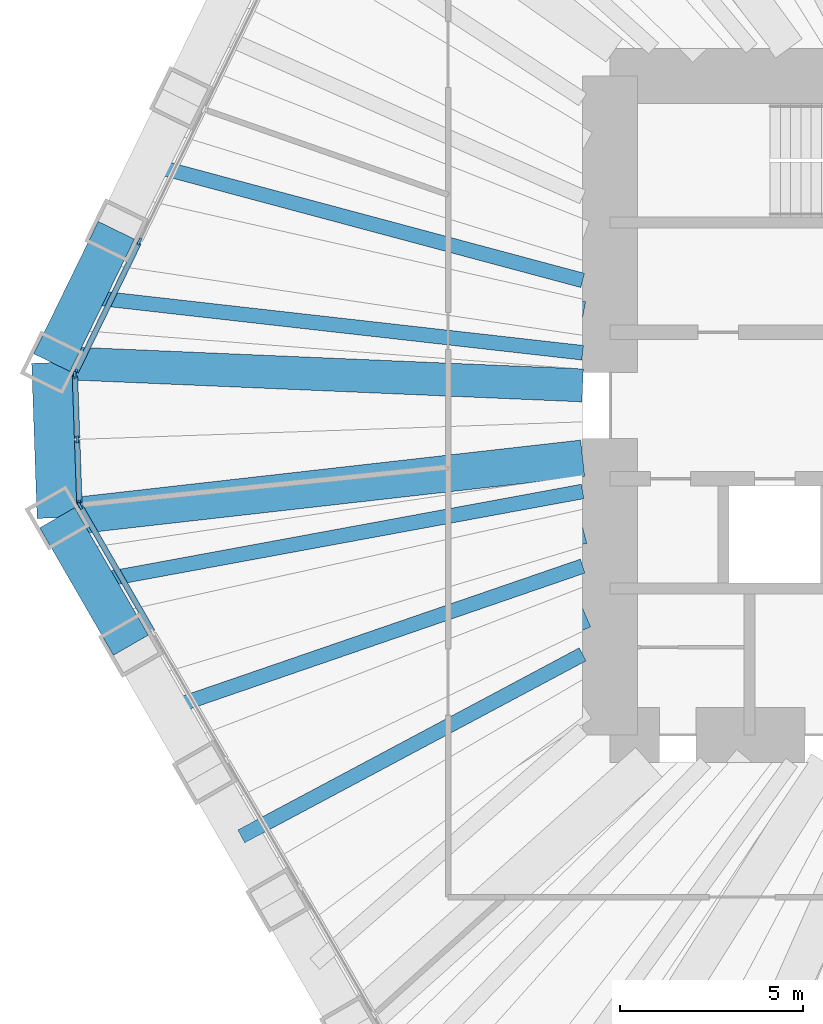
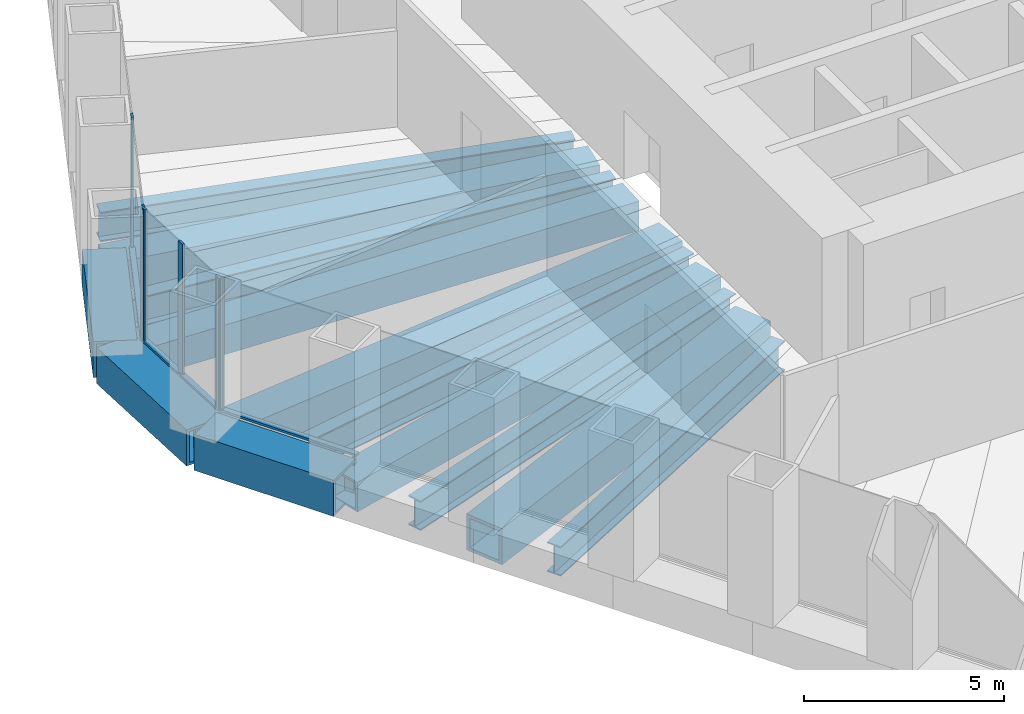
# One storey, part 3 of 20: 13 members, 10 beams, 3 elements without a shape of their own.
"""IFC4 building model written with IfcOpenShell, lengths in metres."""

from ifc_helpers import new_model, si_unit, direction, frame, origin, origin_2d, place, context, subcontext, project, spatial, rectangle, hollow_rectangle, i_section, extrude, material, material_profile, profile_set, type_object, element, aggregate, save


model = new_model("IFC4")

# Units and contexts
model_context = context("Model", 3, precision=1e-05, world=origin(), true_north=direction((0.0, 1.0)))
body_context = subcontext(model_context, "Body", "Model", "MODEL_VIEW")
ifc_project = project(units=[si_unit("LENGTHUNIT", "METRE"), si_unit("AREAUNIT", "SQUARE_METRE"), si_unit("VOLUMEUNIT", "CUBIC_METRE"), si_unit("PLANEANGLEUNIT", "RADIAN"), si_unit("MASSUNIT", "GRAM", prefix="KILO")], contexts=[model_context])

# Site, building, storey
site_placement = place(None, origin())
site = spatial("IfcSite", under=ifc_project, at=site_placement, CompositionType="ELEMENT")
building_placement = place(site_placement, origin())
building = spatial("IfcBuilding", under=site, at=building_placement, Name="Qingtian Harvest Tower", CompositionType="ELEMENT")
storey_placement = place(building_placement, frame((0.0, 0.0, 103.0)))
storey = spatial("IfcBuildingStorey", under=building, at=storey_placement, Name="L20", CompositionType="ELEMENT", Elevation=103.0)

# Members
ifc_material_1 = material(Name="Steel SM570MC", Category="steel")
ifc_material_profile_1 = material_profile(ifc_material_1, hollow_rectangle(XDim=1.10009765625, YDim=1.10009765625, WallThickness=0.080078125, at=origin_2d()), Name="BOX1100x1100x80")
ifc_profile_set_1 = profile_set([ifc_material_profile_1], Name="Steel SM570MC")
member_type_1 = type_object("IfcMemberType", Name="Belt truss chord BC1 BOX1100x1100x80", PredefinedType="CHORD", material=ifc_profile_set_1)
member_1_placement = place(storey_placement, frame((-25.08740234375, -6.547119140625, -0.550048828125), z_axis=(-0.500013420409, 0.866017655369, 0.0), x_axis=(-0.866017655369, -0.500013420409, 0.0)))
element("IfcMember", 1, at=member_1_placement, inside=storey, type_object=member_type_1, Name="Belt chord BC1 SW5", PredefinedType="CHORD", context=body_context, shape_type="SweptSolid", body=[
    extrude(hollow_rectangle(XDim=1.10009765625, YDim=1.10009765625, WallThickness=0.080078125, at=origin_2d()), origin(), (0.0, 0.0, 1.0), 4.01904296875),
])
member_2_placement = place(storey_placement, frame((-27.096923828125, -3.066650390625, -0.550048828125), z_axis=(-0.034908677553, 0.999390506375, 0.0), x_axis=(-0.999390506375, -0.034908677553, 0.0)))
element("IfcMember", 2, at=member_2_placement, inside=storey, type_object=member_type_1, Name="Belt chord BC1 SWC", PredefinedType="CHORD", context=body_context, shape_type="SweptSolid", body=[
    extrude(hollow_rectangle(XDim=1.10009765625, YDim=1.10009765625, WallThickness=0.080078125, at=origin_2d()), origin(), (0.0, 0.0, 1.0), 4.23828125),
])
member_3_placement = place(storey_placement, frame((-27.244873046875, 1.1689453125, -0.550048828125), z_axis=(0.438347033158, 0.898805806902, 0.0), x_axis=(-0.898805806902, 0.438347033158, 0.0)))
element("IfcMember", 3, at=member_3_placement, inside=storey, type_object=member_type_1, Name="Belt chord BC1 NW0", PredefinedType="CHORD", context=body_context, shape_type="SweptSolid", body=[
    extrude(hollow_rectangle(XDim=1.10009765625, YDim=1.10009765625, WallThickness=0.080078125, at=origin_2d()), origin(), (0.0, 0.0, 1.0), 4.01904296875),
])

# Beams
ifc_material_2 = material(Name="Steel SN490B", Category="steel")
ifc_material_profile_2 = material_profile(ifc_material_2, i_section(OverallWidth=0.39990234375, OverallDepth=0.89990234375, WebThickness=0.01904296875, FlangeThickness=0.035888671875, at=origin_2d()), Name="H900x400x19x36")
ifc_profile_set_2 = profile_set([ifc_material_profile_2], Name="Steel SN490B")
beam_type_1 = type_object("IfcBeamType", Name="Floor joist J4 H900x400x19x36", PredefinedType="JOIST", material=ifc_profile_set_2)
beam_1_placement = place(storey_placement, frame((-22.0732421875, -11.76806640625, -0.6201171875), z_axis=(0.882429048443, 0.47044550637, 0.0), x_axis=(-0.47044550637, 0.882429048443, 0.0)))
element("IfcBeam", 4, at=beam_1_placement, inside=storey, type_object=beam_type_1, Name="Floor joist J4 SW3", PredefinedType="JOIST", context=body_context, shape_type="SweptSolid", body=[
    extrude(i_section(OverallWidth=0.39990234375, OverallDepth=0.89990234375, WebThickness=0.01904296875, FlangeThickness=0.035888671875, at=origin_2d()), origin(), (0.0, 0.0, 1.0), 10.5654296875),
])
beam_2_placement = place(storey_placement, frame((-24.082763671875, -8.28759765625, -0.6201171875), z_axis=(0.945577150072, 0.325397992099, 0.0), x_axis=(-0.325397992099, 0.945577150072, 0.0)))
element("IfcBeam", 5, at=beam_2_placement, inside=storey, type_object=beam_type_1, Name="Floor joist J4 SW4", PredefinedType="JOIST", context=body_context, shape_type="SweptSolid", body=[
    extrude(i_section(OverallWidth=0.39990234375, OverallDepth=0.89990234375, WebThickness=0.01904296875, FlangeThickness=0.035888671875, at=origin_2d()), origin(), (0.0, 0.0, 1.0), 11.985107421875),
])
beam_3_placement = place(storey_placement, frame((-26.09228515625, -4.806884765625, -0.6201171875), z_axis=(0.983450319804, 0.181178002192, 0.0), x_axis=(-0.181178002192, 0.983450319804, 0.0)))
element("IfcBeam", 6, at=beam_3_placement, inside=storey, type_object=beam_type_1, Name="Floor joist J4 SW5", PredefinedType="JOIST", context=body_context, shape_type="SweptSolid", body=[
    extrude(i_section(OverallWidth=0.39990234375, OverallDepth=0.89990234375, WebThickness=0.01904296875, FlangeThickness=0.035888671875, at=origin_2d()), origin(), (0.0, 0.0, 1.0), 13.56689453125),
])
beam_4_placement = place(storey_placement, frame((-26.364013671875, 2.97509765625, -0.6201171875), z_axis=(0.993692330348, -0.112140771387, 0.0), x_axis=(0.112140771387, 0.993692330348, 0.0)))
element("IfcBeam", 7, at=beam_4_placement, inside=storey, type_object=beam_type_1, Name="Floor joist J4 NW0", PredefinedType="JOIST", context=body_context, shape_type="SweptSolid", body=[
    extrude(i_section(OverallWidth=0.39990234375, OverallDepth=0.89990234375, WebThickness=0.01904296875, FlangeThickness=0.035888671875, at=origin_2d()), origin(), (0.0, 0.0, 1.0), 13.700439453125),
])
beam_5_placement = place(storey_placement, frame((-24.60205078125, 6.58740234375, -0.6201171875), z_axis=(0.965969893862, -0.258654526641, 0.0), x_axis=(0.258654526641, 0.965969893862, 0.0)))
element("IfcBeam", 8, at=beam_5_placement, inside=storey, type_object=beam_type_1, Name="Floor joist J4 NW1", PredefinedType="JOIST", context=body_context, shape_type="SweptSolid", body=[
    extrude(i_section(OverallWidth=0.39990234375, OverallDepth=0.89990234375, WebThickness=0.01904296875, FlangeThickness=0.035888671875, at=origin_2d()), origin(), (0.0, 0.0, 1.0), 12.26953125),
])

# Curtain wall, member
ifc_material_3 = material(Name="Bronze-anodised aluminium curtain wall", Category="aluminium")
curtain_wall_type = type_object("IfcCurtainWallType", Name="Curtain wall CW3 sky lobby", PredefinedType="USERDEFINED", material=ifc_material_3)
curtain_wall_1_placement = place(storey_placement, origin())
curtain_wall_1 = element("IfcCurtainWall", 9, at=curtain_wall_1_placement, inside=storey, type_object=curtain_wall_type, Name="Curtain wall CW3 L20 SW0-5", ObjectType="RECESSED CURTAIN WALL", PredefinedType="USERDEFINED")
ifc_material_4 = material(Name="Bronze-anodised aluminium mullion", Category="aluminium")
ifc_material_profile_3 = material_profile(ifc_material_4, rectangle(XDim=0.06494140625, YDim=0.199951171875, at=origin_2d()), Name="AL 65x200")
ifc_profile_set_3 = profile_set([ifc_material_profile_3], Name="Bronze-anodised aluminium mullion")
member_type_2 = type_object("IfcMemberType", Name="Mullion CWM 65x200", PredefinedType="MULLION", material=ifc_profile_set_3)
member_4_placement = place(storey_placement, frame((-26.474609375, -2.744873046875, 0.0), z_axis=(0.0, 0.0, 1.0), x_axis=(-0.866025403784, -0.5, 0.0)))
member_4 = element("IfcMember", 10, at=member_4_placement, type_object=member_type_2, Name="CW3 mullion 7", PredefinedType="MULLION", context=body_context, shape_type="SweptSolid", body=[
    extrude(rectangle(XDim=0.06494140625, YDim=0.199951171875, at=origin_2d()), origin(), (0.0, 0.0, 1.0), 4.030029296875),
])

# Curtain wall, members
curtain_wall_2_placement = place(storey_placement, origin())
curtain_wall_2 = element("IfcCurtainWall", 11, at=curtain_wall_2_placement, inside=storey, type_object=curtain_wall_type, Name="Curtain wall CW3 L20 SWC", ObjectType="RECESSED CURTAIN WALL", PredefinedType="USERDEFINED")
member_5_placement = place(storey_placement, frame((-26.491943359375, -2.68408203125, 0.0), z_axis=(0.0, 0.0, 1.0), x_axis=(-0.999390827019, -0.034899496703, 0.0)))
member_5 = element("IfcMember", 12, at=member_5_placement, type_object=member_type_2, Name="CW3 mullion 1", PredefinedType="MULLION", context=body_context, shape_type="SweptSolid", body=[
    extrude(rectangle(XDim=0.06494140625, YDim=0.199951171875, at=origin_2d()), origin(), (0.0, 0.0, 1.0), 4.030029296875),
])
member_6_placement = place(storey_placement, frame((-26.55322265625, -0.92724609375, 0.0), z_axis=(0.0, 0.0, 1.0), x_axis=(-0.999390827019, -0.034899496703, 0.0)))
member_6 = element("IfcMember", 13, at=member_6_placement, type_object=member_type_2, Name="CW3 mullion 2", PredefinedType="MULLION", context=body_context, shape_type="SweptSolid", body=[
    extrude(rectangle(XDim=0.06494140625, YDim=0.199951171875, at=origin_2d()), origin(), (0.0, 0.0, 1.0), 4.030029296875),
])
member_7_placement = place(storey_placement, frame((-26.614501953125, 0.82958984375, 0.0), z_axis=(0.0, 0.0, 1.0), x_axis=(-0.999390827019, -0.034899496703, 0.0)))
member_7 = element("IfcMember", 14, at=member_7_placement, type_object=member_type_2, Name="CW3 mullion 3", PredefinedType="MULLION", context=body_context, shape_type="SweptSolid", body=[
    extrude(rectangle(XDim=0.06494140625, YDim=0.199951171875, at=origin_2d()), origin(), (0.0, 0.0, 1.0), 4.030029296875),
])

curtain_wall_3_placement = place(storey_placement, origin())
curtain_wall_3 = element("IfcCurtainWall", 15, at=curtain_wall_3_placement, inside=storey, type_object=curtain_wall_type, Name="Curtain wall CW3 L20 NW0-5", ObjectType="RECESSED CURTAIN WALL", PredefinedType="USERDEFINED")
member_8_placement = place(storey_placement, frame((-26.6015625, 0.891357421875, 0.0), z_axis=(0.0, 0.0, 1.0), x_axis=(-0.898794046299, 0.438371146789, 0.0)))
member_8 = element("IfcMember", 16, at=member_8_placement, type_object=member_type_2, Name="CW3 mullion 1", PredefinedType="MULLION", context=body_context, shape_type="SweptSolid", body=[
    extrude(rectangle(XDim=0.06494140625, YDim=0.199951171875, at=origin_2d()), origin(), (0.0, 0.0, 1.0), 4.030029296875),
])
member_9_placement = place(storey_placement, frame((-24.85400390625, 4.474365234375, 0.0), z_axis=(0.0, 0.0, 1.0), x_axis=(-0.898794046299, 0.438371146789, 0.0)))
member_9 = element("IfcMember", 17, at=member_9_placement, type_object=member_type_2, Name="CW3 mullion 2", PredefinedType="MULLION", context=body_context, shape_type="SweptSolid", body=[
    extrude(rectangle(XDim=0.06494140625, YDim=0.199951171875, at=origin_2d()), origin(), (0.0, 0.0, 1.0), 4.030029296875),
])

# Beams
ifc_material_5 = material(Name="Steel SM570MC", Category="steel")
ifc_material_profile_4 = material_profile(ifc_material_5, hollow_rectangle(XDim=0.89990234375, YDim=0.89990234375, WallThickness=0.06005859375, at=origin_2d()), Name="BOX900x900x60")
ifc_profile_set_4 = profile_set([ifc_material_profile_4], Name="Steel SM570MC")
beam_type_2 = type_object("IfcBeamType", Name="Outrigger chord beam OC1 BOX900x900x60", PredefinedType="BEAM", material=ifc_profile_set_4)
beam_6_placement = place(storey_placement, frame((-25.08740234375, -6.547119140625, -0.6201171875), z_axis=(0.967592867696, 0.252515429991, 0.0), x_axis=(-0.252515429991, 0.967592867696, 0.0)))
element("IfcBeam", 18, at=beam_6_placement, inside=storey, type_object=beam_type_2, Name="Floor beam OC1 SW5", PredefinedType="BEAM", context=body_context, shape_type="SweptSolid", body=[
    extrude(hollow_rectangle(XDim=0.89990234375, YDim=0.89990234375, WallThickness=0.06005859375, at=origin_2d()), origin(), (0.0, 0.0, 1.0), 12.750732421875),
])
beam_7_placement = place(storey_placement, frame((-27.244873046875, 1.1689453125, -0.6201171875), z_axis=(0.999081074678, -0.042860310542, 0.0), x_axis=(0.042860310542, 0.999081074678, 0.0)))
element("IfcBeam", 19, at=beam_7_placement, inside=storey, type_object=beam_type_2, Name="Floor beam OC1 NW0", PredefinedType="BEAM", context=body_context, shape_type="SweptSolid", body=[
    extrude(hollow_rectangle(XDim=0.89990234375, YDim=0.89990234375, WallThickness=0.06005859375, at=origin_2d()), origin(), (0.0, 0.0, 1.0), 14.50830078125),
])
beam_8_placement = place(storey_placement, frame((-25.483154296875, 4.78125, -0.6201171875), z_axis=(0.982851913913, -0.184396625015, 0.0), x_axis=(0.184396625015, 0.982851913913, 0.0)))
element("IfcBeam", 20, at=beam_8_placement, inside=storey, type_object=beam_type_2, Name="Floor beam OC1 NW1", PredefinedType="BEAM", context=body_context, shape_type="SweptSolid", body=[
    extrude(hollow_rectangle(XDim=0.89990234375, YDim=0.89990234375, WallThickness=0.06005859375, at=origin_2d()), origin(), (0.0, 0.0, 1.0), 12.955322265625),
])
ifc_material_6 = material(Name="Steel SM570MC", Category="steel")
ifc_material_profile_5 = material_profile(ifc_material_6, hollow_rectangle(XDim=1.0, YDim=1.0, WallThickness=0.080078125, at=origin_2d()), Name="BOX1000x1000x80")
ifc_profile_set_5 = profile_set([ifc_material_profile_5], Name="Steel SM570MC")
beam_type_3 = type_object("IfcBeamType", Name="Transfer corner beam FB11 BOX1000x1000x80", PredefinedType="BEAM", material=ifc_profile_set_5)
beam_9_placement = place(storey_placement, frame((-27.096923828125, -3.066650390625, -0.669921875), z_axis=(0.993656070393, 0.112461610213, 0.0), x_axis=(-0.112461610213, 0.993656070393, 0.0)))
element("IfcBeam", 21, at=beam_9_placement, inside=storey, type_object=beam_type_3, Name="Floor beam FB11 SW6", PredefinedType="BEAM", context=body_context, shape_type="SweptSolid", body=[
    extrude(hollow_rectangle(XDim=1.0, YDim=1.0, WallThickness=0.080078125, at=origin_2d()), origin(), (0.0, 0.0, 1.0), 14.4384765625),
])
ifc_material_7 = material(Name="Steel SM570MC", Category="steel")
ifc_material_profile_6 = material_profile(ifc_material_7, hollow_rectangle(XDim=1.10009765625, YDim=1.10009765625, WallThickness=0.10009765625, at=origin_2d()), Name="BOX1100x1100x100")
ifc_profile_set_6 = profile_set([ifc_material_profile_6], Name="Steel SM570MC")
beam_type_4 = type_object("IfcBeamType", Name="Transfer floor beam FB9 BOX1100x1100x100", PredefinedType="BEAM", material=ifc_profile_set_6)
beam_10_placement = place(storey_placement, frame((-23.077880859375, -10.02783203125, -0.719970703125), z_axis=(0.917154138631, 0.398532666154, 0.0), x_axis=(-0.398532666154, 0.917154138631, 0.0)))
element("IfcBeam", 22, at=beam_10_placement, inside=storey, type_object=beam_type_4, Name="Floor beam FB9 SW4", PredefinedType="BEAM", context=body_context, shape_type="SweptSolid", body=[
    extrude(hollow_rectangle(XDim=1.10009765625, YDim=1.10009765625, WallThickness=0.10009765625, at=origin_2d()), origin(), (0.0, 0.0, 1.0), 11.2607421875),
])

# Member
ifc_material_8 = material(Name="Bronze-anodised aluminium transom", Category="aluminium")
ifc_material_profile_7 = material_profile(ifc_material_8, rectangle(XDim=0.14990234375, YDim=0.06494140625, at=origin_2d()), Name="AL 65x150")
ifc_profile_set_7 = profile_set([ifc_material_profile_7], Name="Bronze-anodised aluminium transom")
member_type_3 = type_object("IfcMemberType", Name="Transom CWT 65x150", PredefinedType="USERDEFINED", material=ifc_profile_set_7)
member_10_placement = place(storey_placement, frame((-24.49755859375, -6.169189453125, 0.032470703125), z_axis=(-0.499975738995, 0.866039410429, 0.0), x_axis=(-0.866039410429, -0.499975738995, 0.0)))
member_10 = element("IfcMember", 23, at=member_10_placement, type_object=member_type_3, Name="CW3 transom 6.1", ObjectType="TRANSOM", PredefinedType="USERDEFINED", context=body_context, shape_type="SweptSolid", body=[
    extrude(rectangle(XDim=0.14990234375, YDim=0.06494140625, at=origin_2d()), origin(), (0.0, 0.0, 1.0), 3.921630859375),
])

aggregate(curtain_wall_1, [member_4, member_10])

member_11_placement = place(storey_placement, frame((-26.4931640625, -2.651611328125, 0.032470703125), z_axis=(-0.034899362377, 0.99939083171, 0.0), x_axis=(-0.99939083171, -0.034899362377, 0.0)))
member_11 = element("IfcMember", 24, at=member_11_placement, type_object=member_type_3, Name="CW3 transom 1.1", ObjectType="TRANSOM", PredefinedType="USERDEFINED", context=body_context, shape_type="SweptSolid", body=[
    extrude(rectangle(XDim=0.14990234375, YDim=0.06494140625, at=origin_2d()), origin(), (0.0, 0.0, 1.0), 1.69287109375),
])

member_12_placement = place(storey_placement, frame((-26.554443359375, -0.894775390625, 0.032470703125), z_axis=(-0.034899362377, 0.99939083171, 0.0), x_axis=(-0.99939083171, -0.034899362377, 0.0)))
member_12 = element("IfcMember", 25, at=member_12_placement, type_object=member_type_3, Name="CW3 transom 2.1", ObjectType="TRANSOM", PredefinedType="USERDEFINED", context=body_context, shape_type="SweptSolid", body=[
    extrude(rectangle(XDim=0.14990234375, YDim=0.06494140625, at=origin_2d()), origin(), (0.0, 0.0, 1.0), 1.69287109375),
])

aggregate(curtain_wall_2, [member_5, member_6, member_7, member_11, member_12])

member_13_placement = place(storey_placement, frame((-26.587158203125, 0.92041015625, 0.032470703125), z_axis=(0.438326734225, 0.898815706396, 0.0), x_axis=(-0.898815706396, 0.438326734225, 0.0)))
member_13 = element("IfcMember", 26, at=member_13_placement, type_object=member_type_3, Name="CW3 transom 1.1", ObjectType="TRANSOM", PredefinedType="USERDEFINED", context=body_context, shape_type="SweptSolid", body=[
    extrude(rectangle(XDim=0.14990234375, YDim=0.06494140625, at=origin_2d()), origin(), (0.0, 0.0, 1.0), 3.921630859375),
])

aggregate(curtain_wall_3, [member_8, member_9, member_13])

save(model, "model.ifc")
